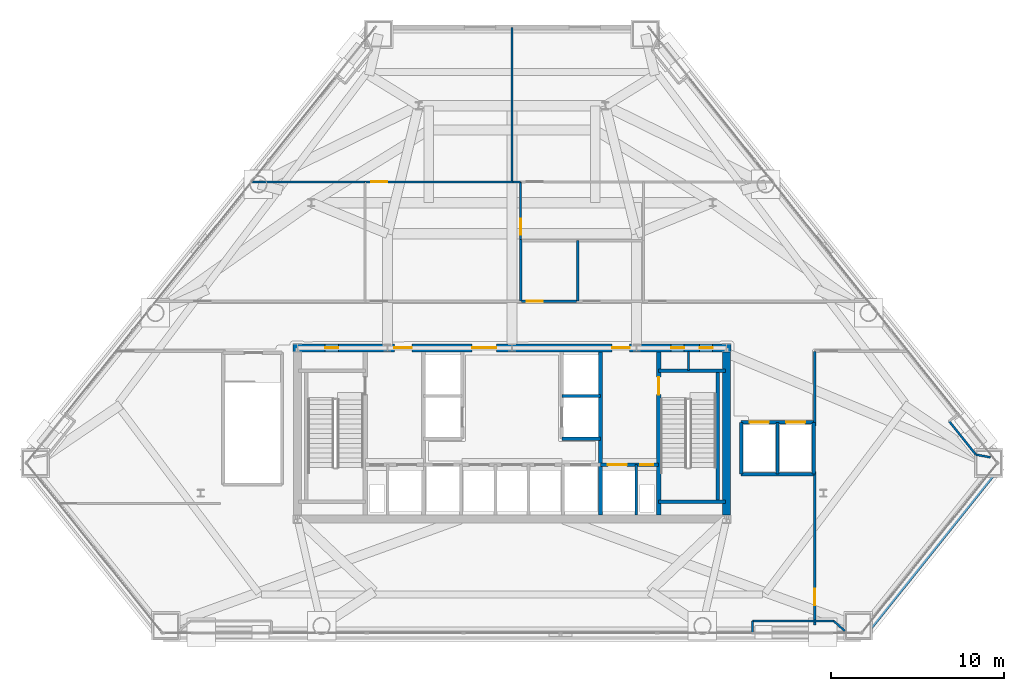
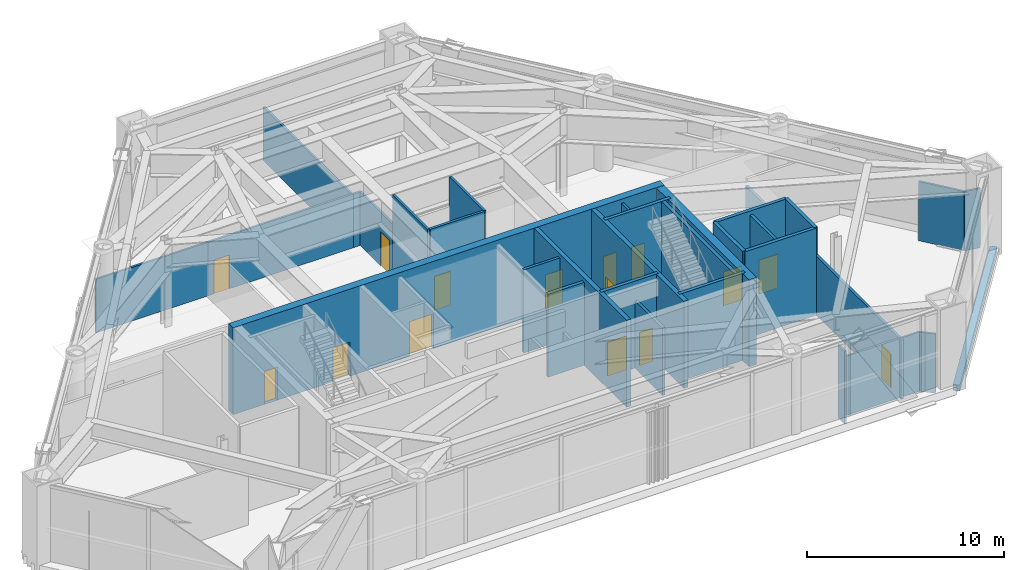
# One storey, part 9 of 13: 33 walls, 15 doors, 15 openings.
"""IFC4 building model written with IfcOpenShell, lengths in metres."""

from ifc_helpers import new_model, si_unit, direction, frame, frame_2d, origin, place, context, subcontext, project, spatial, rectangle, extrude, material, layer, layer_set, type_object, element, fill, save


model = new_model("IFC4")

# Units and contexts
model_context = context("Model", 3, precision=1e-05, world=origin(), true_north=direction((0.0, 1.0)))
body_context = subcontext(model_context, "Body", "Model", "MODEL_VIEW")
ifc_project = project(units=[si_unit("LENGTHUNIT", "METRE"), si_unit("AREAUNIT", "SQUARE_METRE"), si_unit("VOLUMEUNIT", "CUBIC_METRE"), si_unit("PLANEANGLEUNIT", "RADIAN"), si_unit("MASSUNIT", "GRAM", prefix="KILO")], contexts=[model_context])

# Site, building, storey
site_placement = place(None, origin())
site = spatial("IfcSite", under=ifc_project, at=site_placement, CompositionType="ELEMENT")
building_placement = place(site_placement, origin())
building = spatial("IfcBuilding", under=site, at=building_placement, Name="Talgorran Terracotta Tower", CompositionType="ELEMENT")
storey_placement = place(building_placement, frame((0.0, 0.0, 18.89990234375)))
storey = spatial("IfcBuildingStorey", under=building, at=storey_placement, Name="L04", CompositionType="ELEMENT", Elevation=18.89990234375)

# Walls
ifc_material_1 = material(Name="Concrete C50/60", Category="concrete")
ifc_layer_1 = layer(ifc_material_1, 0.199951171875, Name="WT_CORE_200")
ifc_layer_set_1 = layer_set([ifc_layer_1], Name="Concrete C50/60")
wall_type_1 = type_object("IfcWallType", Name="WT_CORE_200", PredefinedType="SOLIDWALL", material=ifc_layer_set_1)
for number, where, z_axis, x_axis, name in (
    (1, (8.47998046875, -5.52001953125, 0.0), (0.0, 0.0, 1.0), (1.0, 0.0, 0.0), "WL-L04-CW-ST2-N"),
    (2, (8.47998046875, -13.10009765625, 0.0), (0.0, 0.0, 1.0), (1.0, 0.0, 0.0), "WL-L04-CW-ST2-S"),
):
    element("IfcWall", number, at=place(storey_placement, frame(where, z_axis=z_axis, x_axis=x_axis)), inside=storey, type_object=wall_type_1, Name=name, PredefinedType="SOLIDWALL", context=body_context, shape_type="SweptSolid", body=[
        extrude(rectangle(XDim=3.8701171875, YDim=0.199951171875, at=frame_2d((1.93505859375, 0.0))), origin(), (0.0, 0.0, 1.0), 5.400146484375),
    ])
wall_1_placement = place(storey_placement, frame((11.89990234375, -13.10009765625, 0.0), z_axis=(0.0, 0.0, 1.0), x_axis=(0.0, 1.0, 0.0)))
element("IfcWall", 3, at=wall_1_placement, inside=storey, type_object=wall_type_1, Name="WL-L04-CW-ST2-E", PredefinedType="SOLIDWALL", context=body_context, shape_type="SweptSolid", body=[
    extrude(rectangle(XDim=7.580078125, YDim=0.199951171875, at=frame_2d((3.7900390625, 0.0))), origin(), (0.0, 0.0, 1.0), 5.400146484375),
])

# Wall, openings, doors
wall_2_placement = place(storey_placement, frame((5.1201171875, -10.949951171875, 0.0), z_axis=(0.0, 0.0, 1.0), x_axis=(1.0, 0.0, 0.0)))
wall_2 = element("IfcWall", 4, at=wall_2_placement, inside=storey, type_object=wall_type_1, Name="WL-L04-CW-H-SBE", PredefinedType="SOLIDWALL", context=body_context, shape_type="SweptSolid", body=[
    extrude(rectangle(XDim=3.35986328125, YDim=0.199951171875, at=frame_2d((1.679931640625, 0.0))), origin(), (0.0, 0.0, 1.0), 5.400146484375),
])
opening_1_placement = place(wall_2_placement, frame((0.419921875, 0.0, 0.0)))
opening_1 = element("IfcOpeningElement", 5, at=opening_1_placement, cuts=wall_2, Name="Opening LD-FFL2", PredefinedType="OPENING", context=body_context, shape_type="SweptSolid", body=[
    extrude(rectangle(XDim=1.10609765625, YDim=2.10409765625, at=frame_2d((0.550048828125, 1.052001953125))), frame((0.0, 0.10986328125, 0.0), z_axis=(0.0, -1.0, 0.0), x_axis=(1.0, 0.0, 0.0)), (0.0, 0.0, 1.0), 0.219970703125),
])
opening_2_placement = place(wall_2_placement, frame((2.300048828125, 0.0, 0.0)))
opening_2 = element("IfcOpeningElement", 6, at=opening_2_placement, cuts=wall_2, Name="Opening DR-RSE", PredefinedType="OPENING", context=body_context, shape_type="SweptSolid", body=[
    extrude(rectangle(XDim=0.756, YDim=2.054048828125, at=frame_2d((0.375, 1.027099609375))), frame((0.0, 0.10986328125, 0.0), z_axis=(0.0, -1.0, 0.0), x_axis=(1.0, 0.0, 0.0)), (0.0, 0.0, 1.0), 0.219970703125),
])
ifc_material_2 = material(Name="Brushed Stainless Steel Grade 304", Category="steel")
door_type_1 = type_object("IfcDoorType", Name="DT_LIFT_LD1100", OperationType="DOUBLE_DOOR_SLIDING", PredefinedType="DOOR", material=ifc_material_2)
door_1_placement = place(opening_1_placement, origin())
door_1 = element("IfcDoor", 7, at=door_1_placement, inside=storey, type_object=door_type_1, Name="L04 Lift Landing Door LD-FFL2", OperationType="DOUBLE_DOOR_SLIDING", OverallHeight=2.10009765625, OverallWidth=1.10009765625, PredefinedType="DOOR", context=body_context, shape_type="SweptSolid", body=[
    extrude(rectangle(XDim=1.10009765625, YDim=2.10009765625, at=frame_2d((0.550048828125, 1.050048828125))), frame((0.0, 0.02490234375, 0.0), z_axis=(0.0, -1.0, 0.0), x_axis=(1.0, 0.0, 0.0)), (0.0, 0.0, 1.0), 0.050048828125),
])
fill(opening_1, door_1)
ifc_material_3 = material(Name="Fire-Rated Pressed Steel", Category="steel")
door_type_2 = type_object("IfcDoorType", Name="DT_RISER_750", OperationType="NOTDEFINED", PredefinedType="DOOR", material=ifc_material_3)
door_2_placement = place(opening_2_placement, origin())
door_2 = element("IfcDoor", 8, at=door_2_placement, inside=storey, type_object=door_type_2, Name="DR-RSE", OperationType="SINGLE_SWING_RIGHT", OverallHeight=2.050048828125, OverallWidth=0.75, PredefinedType="DOOR", context=body_context, shape_type="SweptSolid", body=[
    extrude(rectangle(XDim=0.75, YDim=2.050048828125, at=frame_2d((0.375, 1.02490234375))), frame((0.0, 0.02490234375, 0.0), z_axis=(0.0, -1.0, 0.0), x_axis=(1.0, 0.0, 0.0)), (0.0, 0.0, 1.0), 0.050048828125),
])
fill(opening_2, door_2)

# Walls
wall_3_placement = place(storey_placement, frame((2.8798828125, -9.449951171875, 0.0), z_axis=(0.0, 0.0, 1.0), x_axis=(1.0, 0.0, 0.0)))
element("IfcWall", 9, at=wall_3_placement, inside=storey, type_object=wall_type_1, Name="WL-L04-CW-H-E4", PredefinedType="SOLIDWALL", context=body_context, shape_type="SweptSolid", body=[
    extrude(rectangle(XDim=2.240234375, YDim=0.199951171875, at=frame_2d((1.1201171875, 0.0))), origin(), (0.0, 0.0, 1.0), 5.150146484375),
])
wall_4_placement = place(storey_placement, frame((13.25, -11.5, 0.0), z_axis=(0.0, 0.0, 1.0), x_axis=(1.0, 0.0, 0.0)))
element("IfcWall", 10, at=wall_4_placement, inside=storey, type_object=wall_type_1, Name="WL-L04-PW-HL-S", PredefinedType="SOLIDWALL", context=body_context, shape_type="SweptSolid", body=[
    extrude(rectangle(XDim=4.199951171875, YDim=0.199951171875, at=frame_2d((2.10009765625, 0.0))), origin(), (0.0, 0.0, 1.0), 5.400146484375),
])

# Wall, openings, doors
wall_5_placement = place(storey_placement, frame((13.25, -8.5, 0.0), z_axis=(0.0, 0.0, 1.0), x_axis=(1.0, 0.0, 0.0)))
wall_5 = element("IfcWall", 11, at=wall_5_placement, inside=storey, type_object=wall_type_1, Name="WL-L04-PW-HL-N", PredefinedType="SOLIDWALL", context=body_context, shape_type="SweptSolid", body=[
    extrude(rectangle(XDim=4.199951171875, YDim=0.199951171875, at=frame_2d((2.10009765625, 0.0))), origin(), (0.0, 0.0, 1.0), 5.400146484375),
])
opening_3_placement = place(wall_5_placement, frame((0.5, 0.0, 0.0)))
opening_3 = element("IfcOpeningElement", 12, at=opening_3_placement, cuts=wall_5, Name="Opening LD-HL1", PredefinedType="OPENING", context=body_context, shape_type="SweptSolid", body=[
    extrude(rectangle(XDim=1.10609765625, YDim=2.10409765625, at=frame_2d((0.550048828125, 1.052001953125))), frame((0.0, 0.10986328125, 0.0), z_axis=(0.0, -1.0, 0.0), x_axis=(1.0, 0.0, 0.0)), (0.0, 0.0, 1.0), 0.219970703125),
])
opening_4_placement = place(wall_5_placement, frame((2.60009765625, 0.0, 0.0)))
opening_4 = element("IfcOpeningElement", 13, at=opening_4_placement, cuts=wall_5, Name="Opening LD-HL2", PredefinedType="OPENING", context=body_context, shape_type="SweptSolid", body=[
    extrude(rectangle(XDim=1.10609765625, YDim=2.10409765625, at=frame_2d((0.550048828125, 1.052001953125))), frame((0.0, 0.10986328125, 0.0), z_axis=(0.0, -1.0, 0.0), x_axis=(1.0, 0.0, 0.0)), (0.0, 0.0, 1.0), 0.219970703125),
])
door_3_placement = place(opening_3_placement, origin())
door_3 = element("IfcDoor", 14, at=door_3_placement, inside=storey, type_object=door_type_1, Name="L04 Lift Landing Door LD-HL1", OperationType="DOUBLE_DOOR_SLIDING", OverallHeight=2.10009765625, OverallWidth=1.10009765625, PredefinedType="DOOR", context=body_context, shape_type="SweptSolid", body=[
    extrude(rectangle(XDim=1.10009765625, YDim=2.10009765625, at=frame_2d((0.550048828125, 1.050048828125))), frame((0.0, 0.02490234375, 0.0), z_axis=(0.0, -1.0, 0.0), x_axis=(1.0, 0.0, 0.0)), (0.0, 0.0, 1.0), 0.050048828125),
])
fill(opening_3, door_3)
door_4_placement = place(opening_4_placement, origin())
door_4 = element("IfcDoor", 15, at=door_4_placement, inside=storey, type_object=door_type_1, Name="L04 Lift Landing Door LD-HL2", OperationType="DOUBLE_DOOR_SLIDING", OverallHeight=2.10009765625, OverallWidth=1.10009765625, PredefinedType="DOOR", context=body_context, shape_type="SweptSolid", body=[
    extrude(rectangle(XDim=1.10009765625, YDim=2.10009765625, at=frame_2d((0.550048828125, 1.050048828125))), frame((0.0, 0.02490234375, 0.0), z_axis=(0.0, -1.0, 0.0), x_axis=(1.0, 0.0, 0.0)), (0.0, 0.0, 1.0), 0.050048828125),
])
fill(opening_4, door_4)

# Walls
for number, where, z_axis, x_axis, name in (
    (16, (13.25, -11.5, 0.0), (0.0, 0.0, 1.0), (0.0, 1.0, 0.0), "WL-L04-PW-HL-W"),
    (17, (17.449951171875, -11.5, 0.0), (0.0, 0.0, 1.0), (0.0, 1.0, 0.0), "WL-L04-PW-HL-E"),
):
    element("IfcWall", number, at=place(storey_placement, frame(where, z_axis=z_axis, x_axis=x_axis)), inside=storey, type_object=wall_type_1, Name=name, PredefinedType="SOLIDWALL", context=body_context, shape_type="SweptSolid", body=[
        extrude(rectangle(XDim=3.0, YDim=0.199951171875, at=frame_2d((1.5, 0.0))), origin(), (0.0, 0.0, 1.0), 5.400146484375),
    ])

# Wall, opening, door
ifc_layer_2 = layer(ifc_material_1, 0.25, Name="WT_CORE_250")
ifc_layer_set_2 = layer_set([ifc_layer_2], Name="Concrete C50/60")
wall_type_2 = type_object("IfcWallType", Name="WT_CORE_250", PredefinedType="SHEAR", material=ifc_layer_set_2)
wall_6_placement = place(storey_placement, frame((8.47998046875, -13.85009765625, 0.0), z_axis=(0.0, 0.0, 1.0), x_axis=(0.0, 1.0, 0.0)))
wall_6 = element("IfcWall", 18, at=wall_6_placement, inside=storey, type_object=wall_type_2, Name="WL-L04-CW-V-E1", PredefinedType="SHEAR", context=body_context, shape_type="SweptSolid", body=[
    extrude(rectangle(XDim=9.400146484375, YDim=0.25, at=frame_2d((4.7001953125, 0.0))), origin(), (0.0, 0.0, 1.0), 5.400146484375),
])
opening_5_placement = place(wall_6_placement, frame((6.949951171875, 0.0, 0.0)))
opening_5 = element("IfcOpeningElement", 19, at=opening_5_placement, cuts=wall_6, Name="Opening DR-ST02", PredefinedType="OPENING", context=body_context, shape_type="SweptSolid", body=[
    extrude(rectangle(XDim=1.006, YDim=2.10409765625, at=frame_2d((0.5, 1.052001953125))), frame((0.0, 0.135009765625, 0.0), z_axis=(0.0, -1.0, 0.0), x_axis=(1.0, 0.0, 0.0)), (0.0, 0.0, 1.0), 0.27001953125),
])
door_type_3 = type_object("IfcDoorType", Name="DT_FIRE_1000", OperationType="NOTDEFINED", PredefinedType="DOOR", material=ifc_material_3)
door_5_placement = place(opening_5_placement, origin())
door_5 = element("IfcDoor", 20, at=door_5_placement, inside=storey, type_object=door_type_3, Name="DR-ST02", OperationType="SINGLE_SWING_RIGHT", OverallHeight=2.10009765625, OverallWidth=1.0, PredefinedType="DOOR", context=body_context, shape_type="SweptSolid", body=[
    extrude(rectangle(XDim=1.0, YDim=2.10009765625, at=frame_2d((0.5, 1.050048828125))), frame((0.0, 0.02490234375, 0.0), z_axis=(0.0, -1.0, 0.0), x_axis=(1.0, 0.0, 0.0)), (0.0, 0.0, 1.0), 0.050048828125),
])
fill(opening_5, door_5)

# Wall
wall_7_placement = place(storey_placement, frame((5.1201171875, -13.85009765625, 0.0), z_axis=(0.0, 0.0, 1.0), x_axis=(0.0, 1.0, 0.0)))
element("IfcWall", 21, at=wall_7_placement, inside=storey, type_object=wall_type_2, Name="WL-L04-CW-V-E2", PredefinedType="SHEAR", context=body_context, shape_type="SweptSolid", body=[
    extrude(rectangle(XDim=9.400146484375, YDim=0.25, at=frame_2d((4.7001953125, 0.0))), origin(), (0.0, 0.0, 1.0), 5.400146484375),
])

# Wall, openings, doors
ifc_material_4 = material(Name="Concrete C65/80", Category="concrete")
ifc_layer_3 = layer(ifc_material_4, 0.449951171875, Name="WT_CORE_EXT")
ifc_layer_set_3 = layer_set([ifc_layer_3], Name="Concrete C65/80")
wall_type_3 = type_object("IfcWallType", Name="WT_CORE_EXT", PredefinedType="SHEAR", material=ifc_layer_set_3)
wall_8_placement = place(storey_placement, frame((-12.64990234375, -4.199951171875, 0.0), z_axis=(0.0, 0.0, 1.0), x_axis=(1.0, 0.0, 0.0)))
wall_8 = element("IfcWall", 22, at=wall_8_placement, inside=storey, type_object=wall_type_3, Name="WL-L04-CW-OUT-N", PredefinedType="SHEAR", context=body_context, shape_type="SweptSolid", body=[
    extrude(rectangle(XDim=25.2998046875, YDim=0.449951171875, at=frame_2d((12.64990234375, 0.0))), origin(), (0.0, 0.0, 1.0), 5.400146484375),
])
opening_6_placement = place(wall_8_placement, frame((1.85009765625, 0.0, 0.0)))
opening_6 = element("IfcOpeningElement", 23, at=opening_6_placement, cuts=wall_8, Name="Opening DR-CSN1", PredefinedType="OPENING", context=body_context, shape_type="SweptSolid", body=[
    extrude(rectangle(XDim=0.756, YDim=2.054048828125, at=frame_2d((0.375, 1.027099609375))), frame((0.0, 0.23486328125, 0.0), z_axis=(0.0, -1.0, 0.0), x_axis=(1.0, 0.0, 0.0)), (0.0, 0.0, 1.0), 0.469970703125),
])
opening_7_placement = place(wall_8_placement, frame((21.85009765625, 0.0, 0.0)))
opening_7 = element("IfcOpeningElement", 24, at=opening_7_placement, cuts=wall_8, Name="Opening DR-CSN2", PredefinedType="OPENING", context=body_context, shape_type="SweptSolid", body=[
    extrude(rectangle(XDim=0.756, YDim=2.054048828125, at=frame_2d((0.375, 1.027099609375))), frame((0.0, 0.23486328125, 0.0), z_axis=(0.0, -1.0, 0.0), x_axis=(1.0, 0.0, 0.0)), (0.0, 0.0, 1.0), 0.469970703125),
])
opening_8_placement = place(wall_8_placement, frame((23.5, 0.0, 0.0)))
opening_8 = element("IfcOpeningElement", 25, at=opening_8_placement, cuts=wall_8, Name="Opening DR-CSN3", PredefinedType="OPENING", context=body_context, shape_type="SweptSolid", body=[
    extrude(rectangle(XDim=0.756, YDim=2.054048828125, at=frame_2d((0.375, 1.027099609375))), frame((0.0, 0.23486328125, 0.0), z_axis=(0.0, -1.0, 0.0), x_axis=(1.0, 0.0, 0.0)), (0.0, 0.0, 1.0), 0.469970703125),
])
opening_9_placement = place(wall_8_placement, frame((5.85009765625, 0.0, 0.0)))
opening_9 = element("IfcOpeningElement", 26, at=opening_9_placement, cuts=wall_8, Name="Opening DR-FFLW-N", PredefinedType="OPENING", context=body_context, shape_type="SweptSolid", body=[
    extrude(rectangle(XDim=1.006, YDim=2.10409765625, at=frame_2d((0.5, 1.052001953125))), frame((0.0, 0.23486328125, 0.0), z_axis=(0.0, -1.0, 0.0), x_axis=(1.0, 0.0, 0.0)), (0.0, 0.0, 1.0), 0.469970703125),
])
opening_10_placement = place(wall_8_placement, frame((10.35009765625, 0.0, 0.0)))
opening_10 = element("IfcOpeningElement", 27, at=opening_10_placement, cuts=wall_8, Name="Opening DR-PLL-N", PredefinedType="OPENING", context=body_context, shape_type="SweptSolid", body=[
    extrude(rectangle(XDim=1.40590234375, YDim=2.15390234375, at=frame_2d((0.699951171875, 1.076904296875))), frame((0.0, 0.23486328125, 0.0), z_axis=(0.0, -1.0, 0.0), x_axis=(1.0, 0.0, 0.0)), (0.0, 0.0, 1.0), 0.469970703125),
])
opening_11_placement = place(wall_8_placement, frame((18.449951171875, 0.0, 0.0)))
opening_11 = element("IfcOpeningElement", 28, at=opening_11_placement, cuts=wall_8, Name="Opening DR-FFLE-N", PredefinedType="OPENING", context=body_context, shape_type="SweptSolid", body=[
    extrude(rectangle(XDim=1.006, YDim=2.10409765625, at=frame_2d((0.5, 1.052001953125))), frame((0.0, 0.23486328125, 0.0), z_axis=(0.0, -1.0, 0.0), x_axis=(1.0, 0.0, 0.0)), (0.0, 0.0, 1.0), 0.469970703125),
])
ifc_material_5 = material(Name="Acoustic Glazed Timber", Category="wood")
door_type_4 = type_object("IfcDoorType", Name="DT_DOUBLE_1400", OperationType="DOUBLE_DOOR_SINGLE_SWING", PredefinedType="DOOR", material=ifc_material_5)
door_6_placement = place(opening_10_placement, origin())
door_6 = element("IfcDoor", 29, at=door_6_placement, inside=storey, type_object=door_type_4, Name="DR-PLL-N", OperationType="DOUBLE_DOOR_SINGLE_SWING", OverallHeight=2.14990234375, OverallWidth=1.39990234375, PredefinedType="DOOR", context=body_context, shape_type="SweptSolid", body=[
    extrude(rectangle(XDim=1.39990234375, YDim=2.14990234375, at=frame_2d((0.699951171875, 1.074951171875))), frame((0.0, 0.02490234375, 0.0), z_axis=(0.0, -1.0, 0.0), x_axis=(1.0, 0.0, 0.0)), (0.0, 0.0, 1.0), 0.050048828125),
])
fill(opening_10, door_6)
door_7_placement = place(opening_9_placement, origin())
door_7 = element("IfcDoor", 30, at=door_7_placement, inside=storey, type_object=door_type_3, Name="DR-FFLW-N", OperationType="SINGLE_SWING_LEFT", OverallHeight=2.10009765625, OverallWidth=1.0, PredefinedType="DOOR", context=body_context, shape_type="SweptSolid", body=[
    extrude(rectangle(XDim=1.0, YDim=2.10009765625, at=frame_2d((0.5, 1.050048828125))), frame((0.0, 0.02490234375, 0.0), z_axis=(0.0, -1.0, 0.0), x_axis=(1.0, 0.0, 0.0)), (0.0, 0.0, 1.0), 0.050048828125),
])
fill(opening_9, door_7)
door_8_placement = place(opening_11_placement, origin())
door_8 = element("IfcDoor", 31, at=door_8_placement, inside=storey, type_object=door_type_3, Name="DR-FFLE-N", OperationType="SINGLE_SWING_RIGHT", OverallHeight=2.10009765625, OverallWidth=1.0, PredefinedType="DOOR", context=body_context, shape_type="SweptSolid", body=[
    extrude(rectangle(XDim=1.0, YDim=2.10009765625, at=frame_2d((0.5, 1.050048828125))), frame((0.0, 0.02490234375, 0.0), z_axis=(0.0, -1.0, 0.0), x_axis=(1.0, 0.0, 0.0)), (0.0, 0.0, 1.0), 0.050048828125),
])
fill(opening_11, door_8)
door_9_placement = place(opening_6_placement, origin())
door_9 = element("IfcDoor", 32, at=door_9_placement, inside=storey, type_object=door_type_2, Name="DR-CSN1", OperationType="SINGLE_SWING_LEFT", OverallHeight=2.050048828125, OverallWidth=0.75, PredefinedType="DOOR", context=body_context, shape_type="SweptSolid", body=[
    extrude(rectangle(XDim=0.75, YDim=2.050048828125, at=frame_2d((0.375, 1.02490234375))), frame((0.0, 0.02490234375, 0.0), z_axis=(0.0, -1.0, 0.0), x_axis=(1.0, 0.0, 0.0)), (0.0, 0.0, 1.0), 0.050048828125),
])
fill(opening_6, door_9)
door_10_placement = place(opening_7_placement, origin())
door_10 = element("IfcDoor", 33, at=door_10_placement, inside=storey, type_object=door_type_2, Name="DR-CSN2", OperationType="SINGLE_SWING_LEFT", OverallHeight=2.050048828125, OverallWidth=0.75, PredefinedType="DOOR", context=body_context, shape_type="SweptSolid", body=[
    extrude(rectangle(XDim=0.75, YDim=2.050048828125, at=frame_2d((0.375, 1.02490234375))), frame((0.0, 0.02490234375, 0.0), z_axis=(0.0, -1.0, 0.0), x_axis=(1.0, 0.0, 0.0)), (0.0, 0.0, 1.0), 0.050048828125),
])
fill(opening_7, door_10)
door_11_placement = place(opening_8_placement, origin())
door_11 = element("IfcDoor", 34, at=door_11_placement, inside=storey, type_object=door_type_2, Name="DR-CSN3", OperationType="SINGLE_SWING_RIGHT", OverallHeight=2.050048828125, OverallWidth=0.75, PredefinedType="DOOR", context=body_context, shape_type="SweptSolid", body=[
    extrude(rectangle(XDim=0.75, YDim=2.050048828125, at=frame_2d((0.375, 1.02490234375))), frame((0.0, 0.02490234375, 0.0), z_axis=(0.0, -1.0, 0.0), x_axis=(1.0, 0.0, 0.0)), (0.0, 0.0, 1.0), 0.050048828125),
])
fill(opening_8, door_11)

# Wall
wall_9_placement = place(storey_placement, frame((12.39990234375, -13.85009765625, 0.0), z_axis=(0.0, 0.0, 1.0), x_axis=(0.0, 1.0, 0.0)))
element("IfcWall", 35, at=wall_9_placement, inside=storey, type_object=wall_type_3, Name="WL-L04-CW-OUT-E", PredefinedType="SHEAR", context=body_context, shape_type="SweptSolid", body=[
    extrude(rectangle(XDim=9.400146484375, YDim=0.449951171875, at=frame_2d((4.7001953125, 0.0))), origin(), (0.0, 0.0, 1.0), 5.400146484375),
])

# Wall, opening, door
ifc_material_6 = material(Name="Fire-Rated Steel Stud Plasterboard", Category="steel")
ifc_layer_4 = layer(ifc_material_6, 0.14990234375, Name="WT_FIRE_150")
ifc_layer_set_4 = layer_set([ifc_layer_4], Name="Fire-Rated Steel Stud Plasterboard")
wall_type_4 = type_object("IfcWallType", Name="WT_FIRE_150", PredefinedType="PARTITIONING", material=ifc_layer_set_4)
wall_10_placement = place(storey_placement, frame((17.5, -20.219970703125, 0.0), z_axis=(0.0, 0.0, 1.0), x_axis=(0.0, 1.0, 0.0)))
wall_10 = element("IfcWall", 36, at=wall_10_placement, inside=storey, type_object=wall_type_4, Name="WL-L04-W-L04-R10", PredefinedType="PARTITIONING", context=body_context, shape_type="SweptSolid", body=[
    extrude(rectangle(XDim=8.8798828125, YDim=0.14990234375, at=frame_2d((4.43994140625, 0.0))), origin(), (0.0, 0.0, 1.0), 3.675048828125),
])
opening_12_placement = place(wall_10_placement, frame((1.13671875, 0.0, 0.0)))
opening_12 = element("IfcOpeningElement", 37, at=opening_12_placement, cuts=wall_10, Name="Opening DR-L04-R03", PredefinedType="OPENING", context=body_context, shape_type="SweptSolid", body=[
    extrude(rectangle(XDim=0.955951171875, YDim=2.10409765625, at=frame_2d((0.47509765625, 1.052001953125))), frame((0.0, 0.0849609375, 0.0), z_axis=(0.0, -1.0, 0.0), x_axis=(1.0, 0.0, 0.0)), (0.0, 0.0, 1.0), 0.169921875),
])
ifc_material_7 = material(Name="Fire-Rated Timber Core", Category="wood")
door_type_5 = type_object("IfcDoorType", Name="DT_FIRE_950", OperationType="NOTDEFINED", PredefinedType="DOOR", material=ifc_material_7)
door_12_placement = place(opening_12_placement, origin())
door_12 = element("IfcDoor", 38, at=door_12_placement, inside=storey, type_object=door_type_5, Name="DR-L04-R03", OperationType="SINGLE_SWING_LEFT", OverallHeight=2.10009765625, OverallWidth=0.949951171875, PredefinedType="DOOR", context=body_context, shape_type="SweptSolid", body=[
    extrude(rectangle(XDim=0.949951171875, YDim=2.10009765625, at=frame_2d((0.47509765625, 1.050048828125))), frame((0.0, 0.02490234375, 0.0), z_axis=(0.0, -1.0, 0.0), x_axis=(1.0, 0.0, 0.0)), (0.0, 0.0, 1.0), 0.050048828125),
])
fill(opening_12, door_12)

# Wall
wall_11_placement = place(storey_placement, frame((17.5, -8.719970703125, 0.0), z_axis=(0.0, 0.0, 1.0), x_axis=(0.0, 1.0, 0.0)))
element("IfcWall", 39, at=wall_11_placement, inside=storey, type_object=wall_type_4, Name="WL-L04-W-L04-R02", PredefinedType="PARTITIONING", context=body_context, shape_type="SweptSolid", body=[
    extrude(rectangle(XDim=4.320068359375, YDim=0.14990234375, at=frame_2d((2.16015625, 0.0))), origin(), (0.0, 0.0, 1.0), 3.675048828125),
])

# Wall, opening, door
wall_12_placement = place(storey_placement, frame((0.56201171875, -1.5, 0.0), z_axis=(0.0, 0.0, 1.0), x_axis=(1.0, 0.0, 0.0)))
wall_12 = element("IfcWall", 40, at=wall_12_placement, inside=storey, type_object=wall_type_4, Name="WL-L04-W-L04-R06", PredefinedType="PARTITIONING", context=body_context, shape_type="SweptSolid", body=[
    extrude(rectangle(XDim=3.176025390625, YDim=0.14990234375, at=frame_2d((1.587890625, 0.0))), origin(), (0.0, 0.0, 1.0), 5.150146484375),
])
opening_13_placement = place(wall_12_placement, frame((0.276611328125, 0.0, 0.0)))
opening_13 = element("IfcOpeningElement", 41, at=opening_13_placement, cuts=wall_12, Name="Opening DR-L04-R06", PredefinedType="OPENING", context=body_context, shape_type="SweptSolid", body=[
    extrude(rectangle(XDim=0.955951171875, YDim=2.10409765625, at=frame_2d((0.47509765625, 1.052001953125))), frame((0.0, 0.0849609375, 0.0), z_axis=(0.0, -1.0, 0.0), x_axis=(1.0, 0.0, 0.0)), (0.0, 0.0, 1.0), 0.169921875),
])
door_13_placement = place(opening_13_placement, origin())
door_13 = element("IfcDoor", 42, at=door_13_placement, inside=storey, type_object=door_type_5, Name="DR-L04-R06", OperationType="SINGLE_SWING_RIGHT", OverallHeight=2.10009765625, OverallWidth=0.949951171875, PredefinedType="DOOR", context=body_context, shape_type="SweptSolid", body=[
    extrude(rectangle(XDim=0.949951171875, YDim=2.10009765625, at=frame_2d((0.47509765625, 1.050048828125))), frame((0.0, 0.02490234375, 0.0), z_axis=(0.0, -1.0, 0.0), x_axis=(1.0, 0.0, 0.0)), (0.0, 0.0, 1.0), 0.050048828125),
])
fill(opening_13, door_13)

# Walls
ifc_material_8 = material(Name="Concrete C40/50", Category="concrete")
ifc_layer_5 = layer(ifc_material_8, 0.219970703125, Name="WT_PARAPET_RC")
ifc_layer_set_5 = layer_set([ifc_layer_5], Name="Concrete C40/50")
wall_type_5 = type_object("IfcWallType", Name="WT_PARAPET_RC", PredefinedType="PARAPET", material=ifc_layer_set_5)
wall_13_placement = place(storey_placement, frame((20.389404296875, -20.717529296875, -0.199951171875), z_axis=(0.0, 0.0, 1.0), x_axis=(0.625119050196, 0.78052941846, 0.0)))
element("IfcWall", 43, at=wall_13_placement, inside=storey, type_object=wall_type_5, Name="L04 Striped Portal Precast Cornice F2", PredefinedType="PARAPET", context=body_context, shape_type="SweptSolid", body=[
    extrude(rectangle(XDim=12.42626953125, YDim=0.360107421875, at=frame_2d((6.213134765625, 0.0))), origin(), (0.0, 0.0, 1.0), 0.380126953125),
])
ifc_material_9 = material(Name="Insulated Steel Stud Plasterboard", Category="steel")
ifc_layer_6 = layer(ifc_material_9, 0.1201171875, Name="WT_PART_120")
ifc_layer_set_6 = layer_set([ifc_layer_6], Name="Insulated Steel Stud Plasterboard")
wall_type_6 = type_object("IfcWallType", Name="WT_PART_120", PredefinedType="PARTITIONING", material=ifc_layer_set_6)
wall_14_placement = place(storey_placement, frame((10.199951171875, -5.52001953125, 0.0), z_axis=(0.0, 0.0, 1.0), x_axis=(0.0, 1.0, 0.0)))
element("IfcWall", 44, at=wall_14_placement, inside=storey, type_object=wall_type_6, Name="WL-L04-CW-CSE-DIV", PredefinedType="PARTITIONING", context=body_context, shape_type="SweptSolid", body=[
    extrude(rectangle(XDim=1.1201171875, YDim=0.1201171875, at=frame_2d((0.56005859375, 0.0))), origin(), (0.0, 0.0, 1.0), 5.150146484375),
])
wall_15_placement = place(storey_placement, frame((0.0, 5.39990234375, 0.0), z_axis=(0.0, 0.0, 1.0), x_axis=(0.0, 1.0, 0.0)))
element("IfcWall", 45, at=wall_15_placement, inside=storey, type_object=wall_type_6, Name="WL-L04-W-L04-R24", PredefinedType="PARTITIONING", context=body_context, shape_type="SweptSolid", body=[
    extrude(rectangle(XDim=8.93603515625, YDim=0.1201171875, at=frame_2d((4.468017578125, 0.0))), origin(), (0.0, 0.0, 1.0), 3.3251953125),
])

# Wall, opening, door
wall_16_placement = place(storey_placement, frame((-8.5, 5.39990234375, 0.0), z_axis=(0.0, 0.0, 1.0), x_axis=(1.0, 0.0, 0.0)))
wall_16 = element("IfcWall", 46, at=wall_16_placement, inside=storey, type_object=wall_type_6, Name="WL-L04-W-L04-R15", PredefinedType="PARTITIONING", context=body_context, shape_type="SweptSolid", body=[
    extrude(rectangle(XDim=8.56005859375, YDim=0.1201171875, at=frame_2d((4.280029296875, 0.0))), origin(), (0.0, 0.0, 1.0), 3.3251953125),
])
opening_14_placement = place(wall_16_placement, frame((0.358642578125, 0.0, 0.0)))
opening_14 = element("IfcOpeningElement", 47, at=opening_14_placement, cuts=wall_16, Name="Opening DR-L04-R10", PredefinedType="OPENING", context=body_context, shape_type="SweptSolid", body=[
    extrude(rectangle(XDim=0.925921875, YDim=2.10409765625, at=frame_2d((0.4599609375, 1.052001953125))), frame((0.0, 0.070068359375, 0.0), z_axis=(0.0, -1.0, 0.0), x_axis=(1.0, 0.0, 0.0)), (0.0, 0.0, 1.0), 0.14013671875),
])
ifc_material_10 = material(Name="Solid-Core Painted Timber", Category="wood")
door_type_6 = type_object("IfcDoorType", Name="DT_INT_920", OperationType="NOTDEFINED", PredefinedType="DOOR", material=ifc_material_10)
door_14_placement = place(opening_14_placement, origin())
door_14 = element("IfcDoor", 48, at=door_14_placement, inside=storey, type_object=door_type_6, Name="DR-L04-R10", OperationType="SINGLE_SWING_RIGHT", OverallHeight=2.10009765625, OverallWidth=0.919921875, PredefinedType="DOOR", context=body_context, shape_type="SweptSolid", body=[
    extrude(rectangle(XDim=0.919921875, YDim=2.10009765625, at=frame_2d((0.4599609375, 1.050048828125))), frame((0.0, 0.02490234375, 0.0), z_axis=(0.0, -1.0, 0.0), x_axis=(1.0, 0.0, 0.0)), (0.0, 0.0, 1.0), 0.050048828125),
])
fill(opening_14, door_14)

# Walls
wall_17_placement = place(storey_placement, frame((-15.06298828125, 5.39990234375, 0.0), z_axis=(0.0, 0.0, 1.0), x_axis=(1.0, 0.0, 0.0)))
element("IfcWall", 49, at=wall_17_placement, inside=storey, type_object=wall_type_6, Name="WL-L04-W-L04-R12", PredefinedType="PARTITIONING", context=body_context, shape_type="SweptSolid", body=[
    extrude(rectangle(XDim=6.56298828125, YDim=0.1201171875, at=frame_2d((3.281494140625, 0.0))), origin(), (0.0, 0.0, 1.0), 3.3251953125),
])
wall_18_placement = place(storey_placement, frame((13.900390625, -20.0, 0.0), z_axis=(0.0, 0.0, 1.0), x_axis=(1.0, 0.0, 0.0)))
element("IfcWall", 50, at=wall_18_placement, inside=storey, type_object=wall_type_6, Name="WL-L04-BW-L04-06", PredefinedType="PARTITIONING", context=body_context, shape_type="SweptSolid", body=[
    extrude(rectangle(XDim=4.71337890625, YDim=0.1201171875, at=frame_2d((2.356689453125, 0.0))), origin(), (0.0, 0.0, 1.0), 3.675048828125),
])

# Wall, opening, door
wall_19_placement = place(storey_placement, frame((0.5, 2.06201171875, 0.0), z_axis=(0.0, 0.0, 1.0), x_axis=(0.0, 1.0, 0.0)))
wall_19 = element("IfcWall", 51, at=wall_19_placement, inside=storey, type_object=wall_type_6, Name="WL-L04-W-L04-R14", PredefinedType="PARTITIONING", context=body_context, shape_type="SweptSolid", body=[
    extrude(rectangle(XDim=3.337890625, YDim=0.1201171875, at=frame_2d((1.6689453125, 0.0))), origin(), (0.0, 0.0, 1.0), 3.3251953125),
])
opening_15_placement = place(wall_19_placement, frame((0.275634765625, 0.0, 0.0)))
opening_15 = element("IfcOpeningElement", 52, at=opening_15_placement, cuts=wall_19, Name="Opening DR-L04-R08", PredefinedType="OPENING", context=body_context, shape_type="SweptSolid", body=[
    extrude(rectangle(XDim=0.925921875, YDim=2.10409765625, at=frame_2d((0.4599609375, 1.052001953125))), frame((0.0, 0.070068359375, 0.0), z_axis=(0.0, -1.0, 0.0), x_axis=(1.0, 0.0, 0.0)), (0.0, 0.0, 1.0), 0.14013671875),
])
door_15_placement = place(opening_15_placement, origin())
door_15 = element("IfcDoor", 53, at=door_15_placement, inside=storey, type_object=door_type_6, Name="DR-L04-R08", OperationType="SINGLE_SWING_RIGHT", OverallHeight=2.10009765625, OverallWidth=0.919921875, PredefinedType="DOOR", context=body_context, shape_type="SweptSolid", body=[
    extrude(rectangle(XDim=0.919921875, YDim=2.10009765625, at=frame_2d((0.4599609375, 1.050048828125))), frame((0.0, 0.02490234375, 0.0), z_axis=(0.0, -1.0, 0.0), x_axis=(1.0, 0.0, 0.0)), (0.0, 0.0, 1.0), 0.050048828125),
])
fill(opening_15, door_15)

# Walls
wall_20_placement = place(storey_placement, frame((26.823486328125, -10.372314453125, 0.0), z_axis=(0.0, 0.0, 1.0), x_axis=(-0.624996071722, 0.780627894923, 0.0)))
element("IfcWall", 54, at=wall_20_placement, inside=storey, type_object=wall_type_6, Name="WL-L04-BW-L04-12", PredefinedType="PARTITIONING", context=body_context, shape_type="SweptSolid", body=[
    extrude(rectangle(XDim=2.47216796875, YDim=0.1201171875, at=frame_2d((1.236083984375, 0.0))), origin(), (0.0, 0.0, 1.0), 3.675048828125),
])
wall_21_placement = place(storey_placement, frame((27.660888671875, -10.527099609375, 0.0), z_axis=(0.0, 0.0, 1.0), x_axis=(-0.983342785939, 0.181760736526, 0.0)))
element("IfcWall", 55, at=wall_21_placement, inside=storey, type_object=wall_type_6, Name="WL-L04-BW-L04-11", PredefinedType="PARTITIONING", context=body_context, shape_type="SweptSolid", body=[
    extrude(rectangle(XDim=0.8515625, YDim=0.1201171875, at=frame_2d((0.42578125, 0.0))), origin(), (0.0, 0.0, 1.0), 3.675048828125),
])
wall_22_placement = place(storey_placement, frame((18.61376953125, -20.0, 0.0), z_axis=(0.0, 0.0, 1.0), x_axis=(0.74327988183, -0.668980580635, 0.0)))
element("IfcWall", 56, at=wall_22_placement, inside=storey, type_object=wall_type_6, Name="WL-L04-BW-L04-04", PredefinedType="PARTITIONING", context=body_context, shape_type="SweptSolid", body=[
    extrude(rectangle(XDim=0.85107421875, YDim=0.1201171875, at=frame_2d((0.425537109375, 0.0))), origin(), (0.0, 0.0, 1.0), 3.675048828125),
])
wall_23_placement = place(storey_placement, frame((13.900390625, -20.669921875, 0.0), z_axis=(0.0, 0.0, 1.0), x_axis=(0.0, 1.0, 0.0)))
element("IfcWall", 57, at=wall_23_placement, inside=storey, type_object=wall_type_6, Name="WL-L04-BW-L04-05", PredefinedType="PARTITIONING", context=body_context, shape_type="SweptSolid", body=[
    extrude(rectangle(XDim=0.669921875, YDim=0.1201171875, at=frame_2d((0.3349609375, 0.0))), origin(), (0.0, 0.0, 1.0), 4.513427734375),
])
wall_24_placement = place(storey_placement, frame((0.06201171875, 5.39990234375, 0.0), z_axis=(0.0, 0.0, 1.0), x_axis=(1.0, 0.0, 0.0)))
element("IfcWall", 58, at=wall_24_placement, inside=storey, type_object=wall_type_6, Name="WL-L04-W-L04-R16", PredefinedType="PARTITIONING", context=body_context, shape_type="SweptSolid", body=[
    extrude(rectangle(XDim=0.43798828125, YDim=0.1201171875, at=frame_2d((0.218994140625, 0.0))), origin(), (0.0, 0.0, 1.0), 3.3251953125),
])
ifc_material_11 = material(Name="Moisture-Resistant Stud Wall")
ifc_layer_7 = layer(ifc_material_11, 0.135009765625, Name="WT_PART_135")
ifc_layer_set_7 = layer_set([ifc_layer_7], Name="Moisture-Resistant Stud Wall")
wall_type_7 = type_object("IfcWallType", Name="WT_PART_135", PredefinedType="PARTITIONING", material=ifc_layer_set_7)
wall_25_placement = place(storey_placement, frame((0.5, -1.5, 0.0), z_axis=(0.0, 0.0, 1.0), x_axis=(0.0, 1.0, 0.0)))
element("IfcWall", 59, at=wall_25_placement, inside=storey, type_object=wall_type_7, Name="WL-L04-W-L04-R13", PredefinedType="PARTITIONING", context=body_context, shape_type="SweptSolid", body=[
    extrude(rectangle(XDim=3.56005859375, YDim=0.135009765625, at=frame_2d((1.780029296875, 0.0))), origin(), (0.0, 0.0, 1.0), 5.150146484375),
])
wall_26_placement = place(storey_placement, frame((3.800048828125, -1.5, 0.0), z_axis=(0.0, 0.0, 1.0), x_axis=(0.0, 1.0, 0.0)))
element("IfcWall", 60, at=wall_26_placement, inside=storey, type_object=wall_type_7, Name="WL-L04-W-L04-R17", PredefinedType="PARTITIONING", context=body_context, shape_type="SweptSolid", body=[
    extrude(rectangle(XDim=3.5, YDim=0.135009765625, at=frame_2d((1.75, 0.0))), origin(), (0.0, 0.0, 1.0), 5.150146484375),
])
ifc_material_12 = material(Name="Fire-Rated Shaftwall")
ifc_layer_8 = layer(ifc_material_12, 0.159912109375, Name="WT_PART_150")
ifc_layer_set_8 = layer_set([ifc_layer_8], Name="Fire-Rated Shaftwall")
wall_type_8 = type_object("IfcWallType", Name="WT_PART_150", PredefinedType="PARTITIONING", material=ifc_layer_set_8)
wall_27_placement = place(storey_placement, frame((2.8798828125, -6.97998046875, 0.0), z_axis=(0.0, 0.0, 1.0), x_axis=(1.0, 0.0, 0.0)))
element("IfcWall", 61, at=wall_27_placement, inside=storey, type_object=wall_type_8, Name="WL-L04-CW-PLM-DIV", PredefinedType="PARTITIONING", context=body_context, shape_type="SweptSolid", body=[
    extrude(rectangle(XDim=2.240234375, YDim=0.159912109375, at=frame_2d((1.1201171875, 0.0))), origin(), (0.0, 0.0, 1.0), 5.150146484375),
])
wall_28_placement = place(storey_placement, frame((7.179931640625, -13.85009765625, 0.0), z_axis=(0.0, 0.0, 1.0), x_axis=(0.0, 1.0, 0.0)))
element("IfcWall", 62, at=wall_28_placement, inside=storey, type_object=wall_type_8, Name="WL-L04-CW-RSE", PredefinedType="PARTITIONING", context=body_context, shape_type="SweptSolid", body=[
    extrude(rectangle(XDim=2.900146484375, YDim=0.159912109375, at=frame_2d((1.4501953125, 0.0))), origin(), (0.0, 0.0, 1.0), 4.175048828125),
])
wall_29_placement = place(storey_placement, frame((15.35009765625, -11.5, 0.0), z_axis=(0.0, 0.0, 1.0), x_axis=(0.0, 1.0, 0.0)))
element("IfcWall", 63, at=wall_29_placement, inside=storey, type_object=wall_type_8, Name="WL-L04-PW-HL-M", PredefinedType="PARTITIONING", context=body_context, shape_type="SweptSolid", body=[
    extrude(rectangle(XDim=3.0, YDim=0.159912109375, at=frame_2d((1.5, 0.0))), origin(), (0.0, 0.0, 1.0), 5.150146484375),
])

save(model, "model.ifc")
